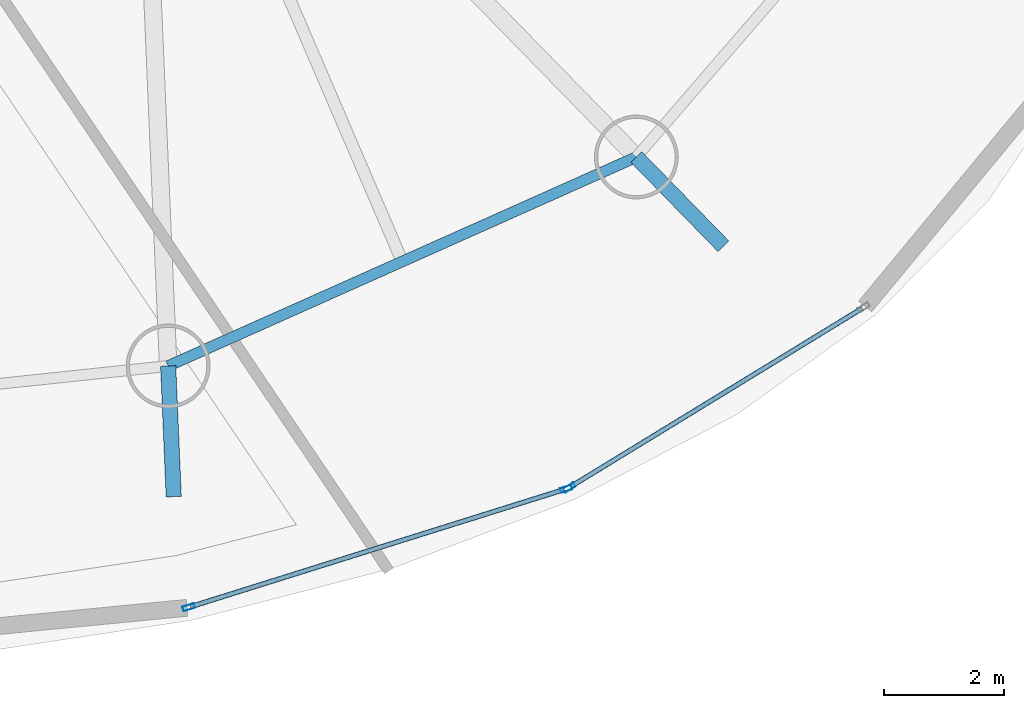
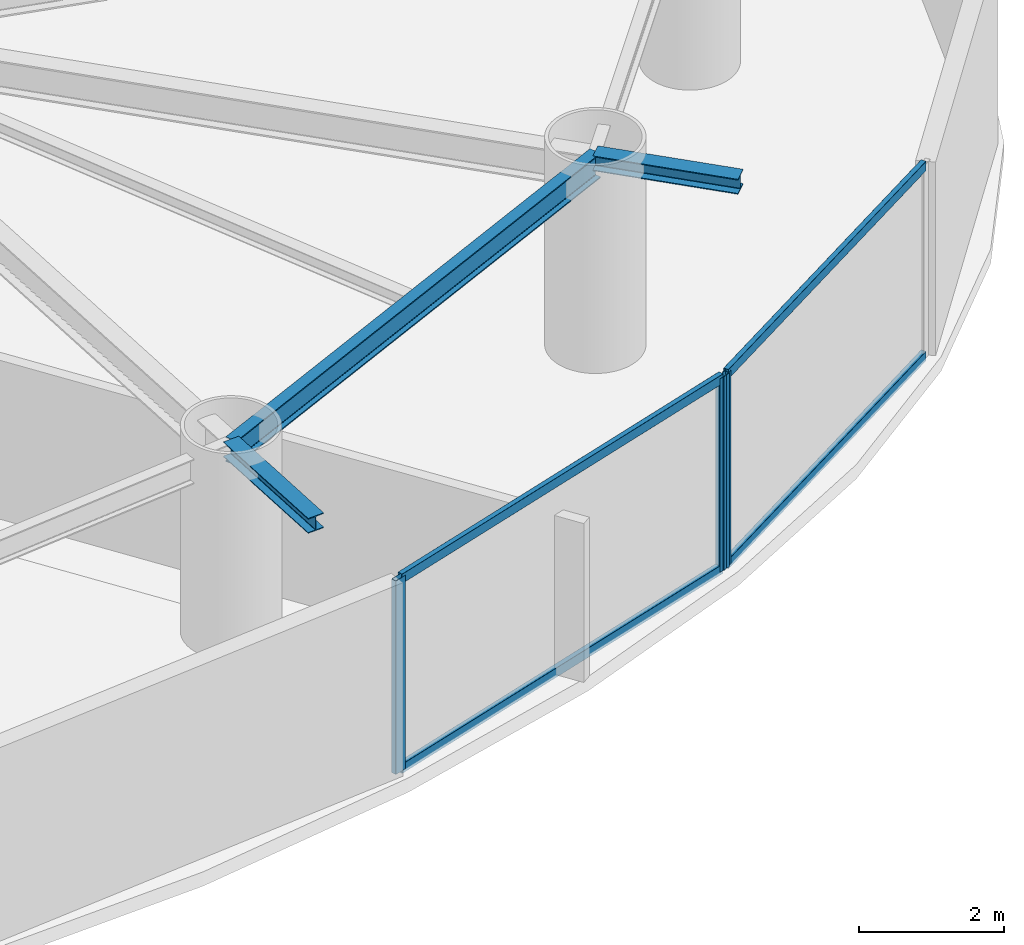
# One storey, part 4 of 20: 7 members, 3 beams, 2 elements without a shape of their own.
"""IFC4 building model written with IfcOpenShell, lengths in metres."""

from ifc_helpers import new_model, si_unit, direction, frame, origin, origin_2d, place, context, subcontext, project, spatial, hollow_rectangle, i_section, extrude, material, layer, layer_set, material_profile, profile_set, type_object, element, aggregate, save


model = new_model("IFC4")

# Units and contexts
model_context = context("Model", 3, precision=1e-05, world=origin(), true_north=direction((0.0, 1.0)))
body_context = subcontext(model_context, "Body", "Model", "MODEL_VIEW")
ifc_project = project(units=[si_unit("LENGTHUNIT", "METRE"), si_unit("AREAUNIT", "SQUARE_METRE"), si_unit("VOLUMEUNIT", "CUBIC_METRE"), si_unit("PLANEANGLEUNIT", "RADIAN"), si_unit("MASSUNIT", "GRAM", prefix="KILO")], contexts=[model_context])

# Site, building, storey
site_placement = place(None, origin())
site = spatial("IfcSite", under=ifc_project, at=site_placement, CompositionType="ELEMENT")
building_placement = place(site_placement, origin())
building = spatial("IfcBuilding", under=site, at=building_placement, Name="Bramvorn Convention Spire", CompositionType="ELEMENT")
storey_placement = place(building_placement, frame((0.0, 0.0, 144.800048828125)))
storey = spatial("IfcBuildingStorey", under=building, at=storey_placement, Name="L36", CompositionType="ELEMENT", Elevation=144.800048828125)

# Beams
ifc_material_1 = material(Name="Steel CSA G40.21 Grade 350 (350W)", Category="steel")
ifc_material_profile_1 = material_profile(ifc_material_1, i_section(OverallWidth=0.25390625, OverallDepth=0.2529296875, WebThickness=0.008544921875, FlangeThickness=0.01416015625, FilletRadius=0.011962890625, at=origin_2d()))
ifc_profile_set_1 = profile_set([ifc_material_profile_1], Name="Steel CSA G40.21 Grade 350 (350W) - W250X73")
beam_type_1 = type_object("IfcBeamType", Name="BM-W250X73", PredefinedType="BEAM", material=ifc_profile_set_1)
beam_1_placement = place(storey_placement, frame((49.76171875, 6.521240234375, 3.133544921875), z_axis=(0.042476732311, -0.999097456314, 0.0), x_axis=(0.999097456314, 0.042476732311, 0.0)))
element("IfcBeam", 1, at=beam_1_placement, inside=storey, type_object=beam_type_1, Name="L36 slab-edge cantilever tip beam MC15", PredefinedType="BEAM", context=body_context, shape_type="SweptSolid", body=[
    extrude(i_section(OverallWidth=0.25390625, OverallDepth=0.2529296875, WebThickness=0.008544921875, FlangeThickness=0.01416015625, FilletRadius=0.011962890625, at=origin_2d()), origin(), (0.0, 0.0, 1.0), 2.18408203125),
])
beam_2_placement = place(storey_placement, frame((57.579833984375, 10.0107421875, 3.133544921875), z_axis=(0.698253481698, -0.715850595653, 0.0), x_axis=(0.715850595653, 0.698253481698, 0.0)))
element("IfcBeam", 2, at=beam_2_placement, inside=storey, type_object=beam_type_1, Name="L36 slab-edge cantilever tip beam MC16", PredefinedType="BEAM", context=body_context, shape_type="SweptSolid", body=[
    extrude(i_section(OverallWidth=0.25390625, OverallDepth=0.2529296875, WebThickness=0.008544921875, FlangeThickness=0.01416015625, FilletRadius=0.011962890625, at=origin_2d()), origin(), (0.0, 0.0, 1.0), 2.0810546875),
])
ifc_material_profile_2 = material_profile(ifc_material_1, i_section(OverallWidth=0.180908203125, OverallDepth=0.4169921875, WebThickness=0.010986328125, FlangeThickness=0.018310546875, FilletRadius=0.01611328125, at=origin_2d()))
ifc_profile_set_2 = profile_set([ifc_material_profile_2], Name="Steel CSA G40.21 Grade 350 (350W) - W410X85")
beam_type_2 = type_object("IfcBeamType", Name="BM-W410X85", PredefinedType="JOIST", material=ifc_profile_set_2)
beam_3_placement = place(storey_placement, frame((49.76171875, 6.521240234375, 3.051513671875), z_axis=(0.913169534701, 0.407579931908, 0.0), x_axis=(-0.407579931908, 0.913169534701, 0.0)))
element("IfcBeam", 3, at=beam_3_placement, inside=storey, type_object=beam_type_2, Name="L36 mega-column ring beam 15", PredefinedType="JOIST", context=body_context, shape_type="SweptSolid", body=[
    extrude(i_section(OverallWidth=0.180908203125, OverallDepth=0.4169921875, WebThickness=0.010986328125, FlangeThickness=0.018310546875, FilletRadius=0.01611328125, at=origin_2d()), origin(), (0.0, 0.0, 1.0), 8.5615234375),
])

# Curtain wall, members
ifc_material_2 = material(Name="Anodised Bronze Unitised Curtain Wall", Category="aluminium")
ifc_layer = layer(ifc_material_2, 0.179931640625)
ifc_layer_set = layer_set([ifc_layer], Name="Anodised Bronze Unitised Curtain Wall - CW-HTL-FRIT")
curtain_wall_type = type_object("IfcCurtainWallType", Name="CW-HTL-FRIT", PredefinedType="USERDEFINED", material=ifc_layer_set)
curtain_wall_1_placement = place(storey_placement, origin())
curtain_wall_1 = element("IfcCurtainWall", 4, at=curtain_wall_1_placement, inside=storey, type_object=curtain_wall_type, Name="L36 fritted glass curtain wall 22", ObjectType="UNITISED CURTAIN WALL", PredefinedType="USERDEFINED")
ifc_material_3 = material(Name="Anodised Bronze Aluminium 6063-T6", Category="aluminium")
ifc_material_profile_3 = material_profile(ifc_material_3, hollow_rectangle(XDim=0.080078125, YDim=0.199951171875, WallThickness=0.00390625, InnerFilletRadius=0.0009765625, OuterFilletRadius=0.00390625, at=origin_2d()))
ifc_profile_set_3 = profile_set([ifc_material_profile_3], Name="Anodised Bronze Aluminium 6063-T6 - CWM80X200")
member_type_1 = type_object("IfcMemberType", Name="CW-MUL-180", PredefinedType="MULLION", material=ifc_profile_set_3)
member_1_placement = place(storey_placement, frame((56.40625, 4.468017578125, 0.0), z_axis=(0.0, 0.0, 1.0), x_axis=(0.299258119182, -0.954172195206, 0.0)))
member_1 = element("IfcMember", 5, at=member_1_placement, type_object=member_type_1, Name="CW2 mullion 1", PredefinedType="MULLION", context=body_context, shape_type="SweptSolid", body=[
    extrude(hollow_rectangle(XDim=0.080078125, YDim=0.199951171875, WallThickness=0.00390625, InnerFilletRadius=0.0009765625, OuterFilletRadius=0.00390625, at=origin_2d()), origin(), (0.0, 0.0, 1.0), 3.260009765625),
])
member_2_placement = place(storey_placement, frame((50.103759765625, 2.491455078125, 0.0), z_axis=(0.0, 0.0, 1.0), x_axis=(0.299258119182, -0.954172195206, 0.0)))
member_2 = element("IfcMember", 6, at=member_2_placement, type_object=member_type_1, Name="CW2 mullion 2", PredefinedType="MULLION", context=body_context, shape_type="SweptSolid", body=[
    extrude(hollow_rectangle(XDim=0.080078125, YDim=0.199951171875, WallThickness=0.00390625, InnerFilletRadius=0.0009765625, OuterFilletRadius=0.00390625, at=origin_2d()), origin(), (0.0, 0.0, 1.0), 3.260009765625),
])

# Curtain wall, member
curtain_wall_2_placement = place(storey_placement, origin())
curtain_wall_2 = element("IfcCurtainWall", 7, at=curtain_wall_2_placement, inside=storey, type_object=curtain_wall_type, Name="L36 fritted glass curtain wall 23", ObjectType="UNITISED CURTAIN WALL", PredefinedType="USERDEFINED")
member_3_placement = place(storey_placement, frame((56.46044921875, 4.49267578125, 0.0), z_axis=(0.0, 0.0, 1.0), x_axis=(0.521871619998, -0.853024039662, 0.0)))
member_3 = element("IfcMember", 8, at=member_3_placement, type_object=member_type_1, Name="CW2 mullion 2", PredefinedType="MULLION", context=body_context, shape_type="SweptSolid", body=[
    extrude(hollow_rectangle(XDim=0.080078125, YDim=0.199951171875, WallThickness=0.00390625, InnerFilletRadius=0.0009765625, OuterFilletRadius=0.00390625, at=origin_2d()), origin(), (0.0, 0.0, 1.0), 3.260009765625),
])

# Member
ifc_material_profile_4 = material_profile(ifc_material_3, hollow_rectangle(XDim=0.080078125, YDim=0.159912109375, WallThickness=0.00390625, InnerFilletRadius=0.0009765625, OuterFilletRadius=0.00390625, at=origin_2d()))
ifc_profile_set_4 = profile_set([ifc_material_profile_4], Name="Anodised Bronze Aluminium 6063-T6 - CWT80X160")
member_type_2 = type_object("IfcMemberType", Name="CW-TRN-150", PredefinedType="USERDEFINED", material=ifc_profile_set_4)
member_4_placement = place(storey_placement, frame((56.37744140625, 4.459228515625, 0.030029296875), z_axis=(-0.954168837021, -0.299268826404, 0.0), x_axis=(0.299268826404, -0.954168837021, 0.0)))
member_4 = element("IfcMember", 9, at=member_4_placement, type_object=member_type_2, Name="CW2 transom 1.1", ObjectType="TRANSOM", PredefinedType="USERDEFINED", context=body_context, shape_type="SweptSolid", body=[
    extrude(hollow_rectangle(XDim=0.080078125, YDim=0.159912109375, WallThickness=0.00390625, InnerFilletRadius=0.0009765625, OuterFilletRadius=0.00390625, at=origin_2d()), origin(), (0.0, 0.0, 1.0), 6.545166015625),
])

member_5_placement = place(storey_placement, frame((56.37744140625, 4.459228515625, 3.22998046875), z_axis=(-0.954168837021, -0.299268826404, 0.0), x_axis=(0.299268826404, -0.954168837021, 0.0)))
member_5 = element("IfcMember", 10, at=member_5_placement, type_object=member_type_2, Name="CW2 transom 1.2", ObjectType="TRANSOM", PredefinedType="USERDEFINED", context=body_context, shape_type="SweptSolid", body=[
    extrude(hollow_rectangle(XDim=0.080078125, YDim=0.159912109375, WallThickness=0.00390625, InnerFilletRadius=0.0009765625, OuterFilletRadius=0.00390625, at=origin_2d()), origin(), (0.0, 0.0, 1.0), 6.545166015625),
])

aggregate(curtain_wall_1, [member_1, member_2, member_4, member_5])

member_6_placement = place(storey_placement, frame((61.3505859375, 7.484375, 0.030029296875), z_axis=(-0.853022453026, -0.52187421342, 0.0), x_axis=(0.52187421342, -0.853022453026, 0.0)))
member_6 = element("IfcMember", 11, at=member_6_placement, type_object=member_type_2, Name="CW2 transom 1.1", ObjectType="TRANSOM", PredefinedType="USERDEFINED", context=body_context, shape_type="SweptSolid", body=[
    extrude(hollow_rectangle(XDim=0.080078125, YDim=0.159912109375, WallThickness=0.00390625, InnerFilletRadius=0.0009765625, OuterFilletRadius=0.00390625, at=origin_2d()), origin(), (0.0, 0.0, 1.0), 5.70263671875),
])

member_7_placement = place(storey_placement, frame((61.3505859375, 7.484375, 3.22998046875), z_axis=(-0.853022453026, -0.52187421342, 0.0), x_axis=(0.52187421342, -0.853022453026, 0.0)))
member_7 = element("IfcMember", 12, at=member_7_placement, type_object=member_type_2, Name="CW2 transom 1.2", ObjectType="TRANSOM", PredefinedType="USERDEFINED", context=body_context, shape_type="SweptSolid", body=[
    extrude(hollow_rectangle(XDim=0.080078125, YDim=0.159912109375, WallThickness=0.00390625, InnerFilletRadius=0.0009765625, OuterFilletRadius=0.00390625, at=origin_2d()), origin(), (0.0, 0.0, 1.0), 5.70263671875),
])

aggregate(curtain_wall_2, [member_3, member_6, member_7])

save(model, "model.ifc")
